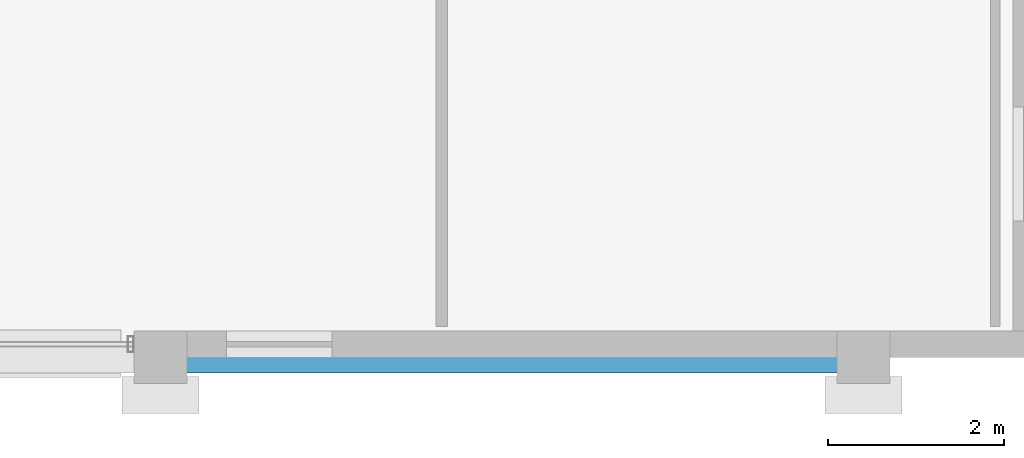
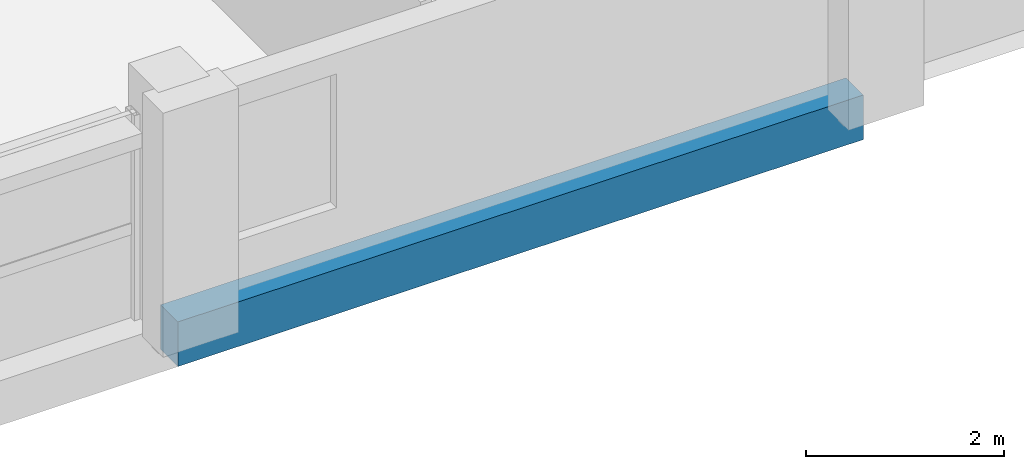
# One storey, part 10 of 24: 1 beam.
"""IFC4 building model written with IfcOpenShell, lengths in metres."""

import ifcopenshell
import ifcopenshell.guid

model = None  # the IFC model being written
_history = None  # IfcOwnerHistory: only IFC2X3 demands one
_inside = {}  # id of a spatial element -> (the spatial element, [elements in it])
_under = {}  # id of a project, library or spatial element -> (it, [spatial elements below it])
_declared = {}  # id of a project -> (the project, [libraries it declares])
_typed = {}  # id of a type object -> (the type object, [elements of that type])
_made_of = {}  # id of a material, layer set ... -> (it, [elements and type objects made of it])


def new_model(schema):
    """Start an empty IFC model of exactly this schema.

    Asked for "IFC4X3", IfcOpenShell would pick the latest addendum, in which some entities
    have other attributes; the version numbers below select the first issue.
    IFC2X3 requires an IfcOwnerHistory on every rooted entity: one is made here for all.
    """
    global model, _history
    if schema == "IFC4X3":
        model = ifcopenshell.file(schema_version=(4, 3, 0, 0))
    else:
        model = ifcopenshell.file(schema=schema)
    _inside.clear()
    _under.clear()
    _declared.clear()
    _typed.clear()
    _made_of.clear()
    _history = None
    if model.schema == "IFC2X3":
        org = make("IfcOrganization", Name="unknown")
        user = make(
            "IfcPersonAndOrganization",
            ThePerson=make("IfcPerson", FamilyName="unknown"),
            TheOrganization=org,
        )
        app = make(
            "IfcApplication",
            ApplicationDeveloper=org,
            Version="unknown",
            ApplicationFullName="unknown",
            ApplicationIdentifier="unknown",
        )
        _history = make(
            "IfcOwnerHistory",
            OwningUser=user,
            OwningApplication=app,
            ChangeAction="ADDED",
            CreationDate=0,
        )
    return model


def make(cls, **values):
    """One entity of the class cls with the attributes given. An attribute that is None is left unset."""
    return model.create_entity(
        cls, **{name: value for name, value in values.items() if value is not None}
    )


def rooted(cls, **values):
    """An entity with a GlobalId (a new one), such as an element, a storey or a relation."""
    return make(cls, GlobalId=ifcopenshell.guid.new(), OwnerHistory=_history, **values)


def si_unit(unit_type, name, prefix=None):
    """IfcSIUnit, for example si_unit("LENGTHUNIT", "METRE", prefix="MILLI")."""
    return make("IfcSIUnit", UnitType=unit_type, Prefix=prefix, Name=name)


def assignment(units):
    """IfcUnitAssignment: the units of a project."""
    return None if units is None else make("IfcUnitAssignment", Units=units)


def point(xyz):
    """IfcCartesianPoint."""
    return None if xyz is None else make("IfcCartesianPoint", Coordinates=xyz)


def direction(xyz):
    """IfcDirection."""
    return None if xyz is None else make("IfcDirection", DirectionRatios=xyz)


def frame(location, z_axis=None, x_axis=None):
    """IfcAxis2Placement3D, a coordinate frame: its origin and axes. An axis left out is left unset."""
    return make(
        "IfcAxis2Placement3D",
        Location=point(location),
        Axis=direction(z_axis),
        RefDirection=direction(x_axis),
    )


def frame_2d(location, x_axis=None):
    """IfcAxis2Placement2D, a coordinate frame in the plane: its origin and x axis."""
    return make(
        "IfcAxis2Placement2D", Location=point(location), RefDirection=direction(x_axis)
    )


def origin():
    """The frame at (0, 0, 0) with its axes left unset."""
    return frame((0.0, 0.0, 0.0))


def origin_2d():
    """The frame at (0, 0) in the plane with its x axis left unset."""
    return frame_2d((0.0, 0.0))


def place(relative_to, where):
    """IfcLocalPlacement: puts the frame where relative to a parent placement (None: the world)."""
    return make(
        "IfcLocalPlacement", PlacementRelTo=relative_to, RelativePlacement=where
    )


def context(
    kind, dimensions, precision=None, world=None, true_north=None, identifier=None
):
    """IfcGeometricRepresentationContext, for example the 3D "Model" context."""
    return make(
        "IfcGeometricRepresentationContext",
        ContextIdentifier=identifier,
        ContextType=kind,
        CoordinateSpaceDimension=dimensions,
        Precision=precision,
        WorldCoordinateSystem=world,
        TrueNorth=true_north,
    )


def subcontext(parent, identifier, kind, view, scale=None):
    """IfcGeometricRepresentationSubContext, for example "Body" below "Model"."""
    return make(
        "IfcGeometricRepresentationSubContext",
        ContextIdentifier=identifier,
        ContextType=kind,
        ParentContext=parent,
        TargetScale=scale,
        TargetView=view,
    )


def project(units=None, contexts=None):
    """IfcProject with its units and contexts."""
    return rooted(
        "IfcProject",
        Name="project",
        RepresentationContexts=contexts,
        UnitsInContext=assignment(units),
    )


def spatial(cls, under=None, at=None, **own):
    """A site, building, storey or space (cls), placed at a placement, below another one or the project."""
    s = rooted(cls, ObjectPlacement=at, **own)
    if under is not None:
        _under.setdefault(under.id(), (under, []))[1].append(s)
    return s


def profile(cls, at=None, kind="AREA", **sizes):
    """A parametric profile (cls). Its sizes go by their IFC names, for example OverallWidth=200.0."""
    return make(cls, ProfileType=kind, Position=at, **sizes)


def rectangle(**sizes):
    """IfcRectangleProfileDef."""
    return profile("IfcRectangleProfileDef", **sizes)


def extrude(swept, where, along, depth):
    """IfcExtrudedAreaSolid: the profile swept, set in the frame where, extruded along a direction by depth."""
    return make(
        "IfcExtrudedAreaSolid",
        SweptArea=swept,
        Position=where,
        ExtrudedDirection=direction(along),
        Depth=depth,
    )


def shape(context_of_items, identifier, shape_type, items):
    """IfcShapeRepresentation: the items that make up one representation, for example the "Body"."""
    return make(
        "IfcShapeRepresentation",
        ContextOfItems=context_of_items,
        RepresentationIdentifier=identifier,
        RepresentationType=shape_type,
        Items=items,
    )


def material(Name=None, Category=None):
    """IfcMaterial."""
    return make("IfcMaterial", Name=Name, Category=Category)


def material_profile(
    of_material, cross_section, Name=None, Category=None, Priority=None
):
    """IfcMaterialProfile: a cross section and its material."""
    return make(
        "IfcMaterialProfile",
        Name=Name,
        Material=of_material,
        Profile=cross_section,
        Priority=Priority,
        Category=Category,
    )


def profile_set(profiles, Name=None, composite=None):
    """IfcMaterialProfileSet."""
    return make(
        "IfcMaterialProfileSet",
        Name=Name,
        MaterialProfiles=profiles,
        CompositeProfile=composite,
    )


def made_of(thing, what):
    """Note that an element or type object is made of a material, layer set ...; save() writes the relation."""
    if what is not None:
        _made_of.setdefault(what.id(), (what, []))[1].append(thing)
    return thing


def type_object(cls, material=None, **own):
    """A type object (cls), such as IfcWallType, which elements share."""
    return made_of(rooted(cls, **own), material)


def element(
    cls,
    number,
    at=None,
    inside=None,
    cuts=None,
    type_object=None,
    material=None,
    context=None,
    identifier="Body",
    shape_type=None,
    held_by="IfcProductDefinitionShape",
    body=None,
    shapes=None,
    **own,
):
    """One element of the class cls, such as IfcWall. Its Tag is "e" and its number.

    at: its placement. inside: the storey or other place that contains it. cuts: it is an
    opening in that element (IfcRelVoidsElement). A single representation is given by context,
    identifier, shape_type and body (its items); several are given by shapes. held_by: the class
    of the entity that holds the representations. save() writes the other relations.
    """
    e = rooted(cls, Tag="e%d" % number, ObjectPlacement=at, **own)
    if body is not None:
        shapes = [shape(context, identifier, shape_type, body)]
    if shapes is not None:
        e.Representation = make(held_by, Representations=shapes)
    if inside is not None:
        _inside.setdefault(inside.id(), (inside, []))[1].append(e)
    if cuts is not None:
        rooted(
            "IfcRelVoidsElement", RelatingBuildingElement=cuts, RelatedOpeningElement=e
        )
    if type_object is not None:
        _typed.setdefault(type_object.id(), (type_object, []))[1].append(e)
    return made_of(e, material)


def aggregate(whole, parts):
    """IfcRelAggregates: a whole, such as a stair, and the parts it consists of."""
    return rooted("IfcRelAggregates", RelatingObject=whole, RelatedObjects=parts)


def save(model, path):
    """Write the relations noted so far, then the file.

    IfcRelAggregates (storeys below a building ...), IfcRelContainedInSpatialStructure (elements
    in a storey), IfcRelDefinesByType, IfcRelAssociatesMaterial and IfcRelDeclares: one each for
    every whole, place, type object, material and project.
    """
    for whole, parts in _under.values():
        aggregate(whole, parts)
    for where, things in _inside.values():
        rooted(
            "IfcRelContainedInSpatialStructure",
            RelatedElements=things,
            RelatingStructure=where,
        )
    for kind, things in _typed.values():
        rooted("IfcRelDefinesByType", RelatedObjects=things, RelatingType=kind)
    for what, things in _made_of.values():
        rooted("IfcRelAssociatesMaterial", RelatedObjects=things, RelatingMaterial=what)
    for by, libraries in _declared.values():
        rooted("IfcRelDeclares", RelatingContext=by, RelatedDefinitions=libraries)
    model.write(path)


model = new_model("IFC4")

# Units and contexts
model_context = context("Model", 3, precision=1e-05, world=origin(), true_north=direction((0.0, 1.0)))
body_context = subcontext(model_context, "Body", "Model", "MODEL_VIEW")
ifc_project = project(units=[si_unit("LENGTHUNIT", "METRE"), si_unit("AREAUNIT", "SQUARE_METRE"), si_unit("VOLUMEUNIT", "CUBIC_METRE"), si_unit("PLANEANGLEUNIT", "RADIAN"), si_unit("MASSUNIT", "GRAM", prefix="KILO")], contexts=[model_context])

# Site, building, storey
site_placement = place(None, origin())
site = spatial("IfcSite", under=ifc_project, at=site_placement, CompositionType="ELEMENT")
building_placement = place(site_placement, origin())
building = spatial("IfcBuilding", under=site, at=building_placement, Name="Akrevak Sports Hall", CompositionType="ELEMENT")
storey_placement = place(building_placement, frame((0.0, 0.0, 63.300048828125)))
storey = spatial("IfcBuildingStorey", under=building, at=storey_placement, Name="L16", CompositionType="ELEMENT", Elevation=63.300048828125)

# Beam
ifc_material = material(Name="Concrete C40/50", Category="concrete")
ifc_material_profile = material_profile(ifc_material, rectangle(XDim=0.35009765625, YDim=0.550048828125, at=origin_2d()), Name="BM 350x550", Category="concrete")
ifc_profile_set = profile_set([ifc_material_profile], Name="Concrete C40/50")
beam_type = type_object("IfcBeamType", Name="STR-BM-RC350x550", PredefinedType="BEAM", material=ifc_profile_set)
beam_placement = place(storey_placement, frame((92.0, 35.39990234375, -0.275146484375), z_axis=(1.0, 0.0, 0.0), x_axis=(0.0, 1.0, 0.0)))
element("IfcBeam", 1, at=beam_placement, inside=storey, type_object=beam_type, Name="Girder F/13-14 (L16)", PredefinedType="BEAM", context=body_context, shape_type="SweptSolid", body=[
    extrude(rectangle(XDim=0.35009765625, YDim=0.550048828125, at=origin_2d()), origin(), (0.0, 0.0, 1.0), 8.0),
])

save(model, "model.ifc")
